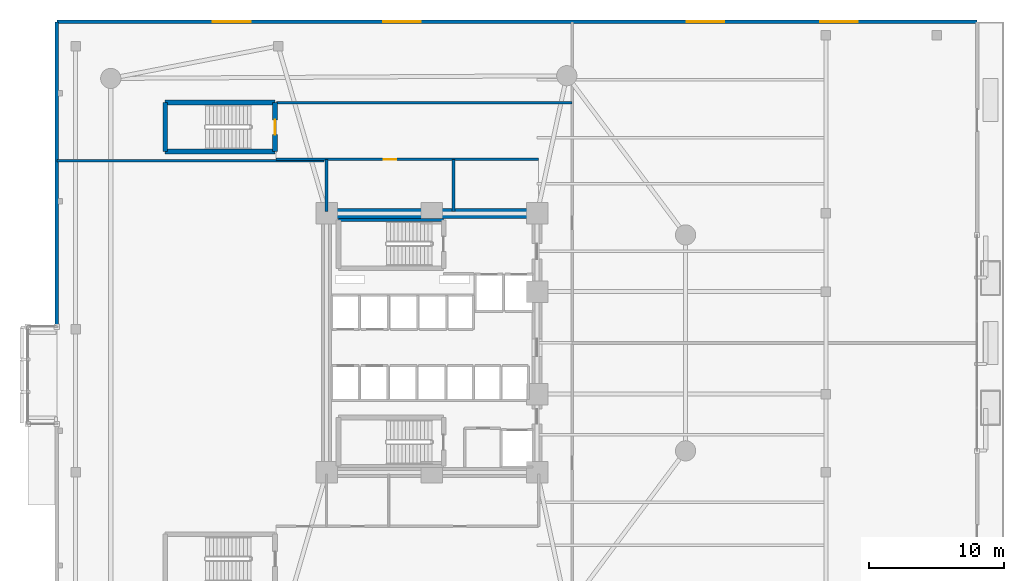
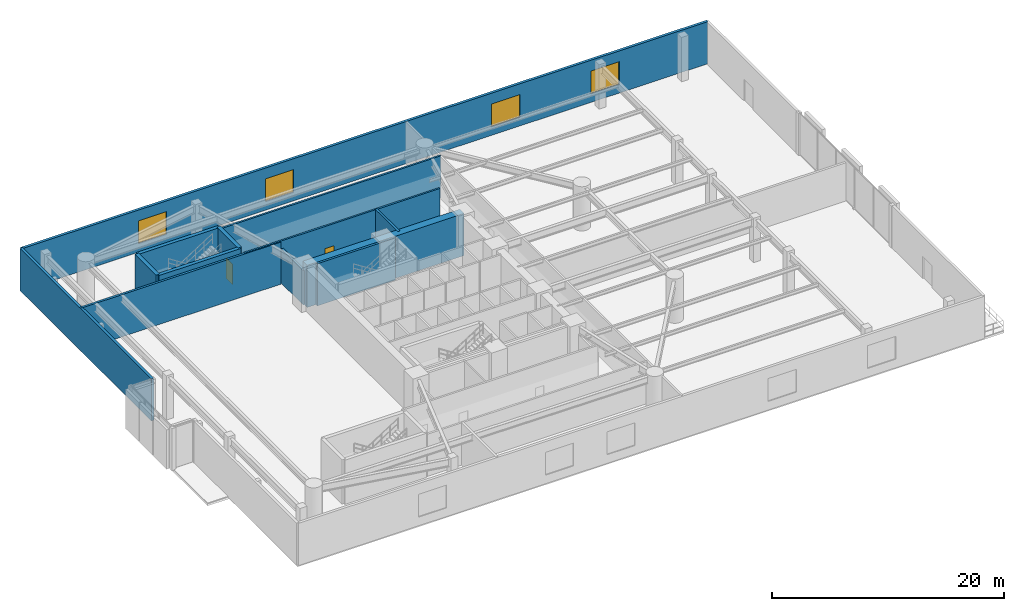
# One storey, part 12 of 16: 13 walls, 4 windows, 2 doors, 6 openings.
"""IFC4 building model written with IfcOpenShell, lengths in metres."""

from ifc_helpers import new_model, si_unit, direction, frame, frame_2d, origin, place, context, subcontext, project, spatial, rectangle, extrude, material, layer, layer_set, type_object, element, fill, save


model = new_model("IFC4")

# Units and contexts
model_context = context("Model", 3, precision=1e-05, world=origin(), true_north=direction((0.0, 1.0)))
body_context = subcontext(model_context, "Body", "Model", "MODEL_VIEW")
ifc_project = project(units=[si_unit("LENGTHUNIT", "METRE"), si_unit("AREAUNIT", "SQUARE_METRE"), si_unit("VOLUMEUNIT", "CUBIC_METRE"), si_unit("PLANEANGLEUNIT", "RADIAN"), si_unit("MASSUNIT", "GRAM", prefix="KILO")], contexts=[model_context])

# Site, building, storey
site_placement = place(None, origin())
site = spatial("IfcSite", under=ifc_project, at=site_placement, CompositionType="ELEMENT")
building_placement = place(site_placement, origin())
building = spatial("IfcBuilding", under=site, at=building_placement, Name="An Khanh Terracotta Commons", CompositionType="ELEMENT")
storey_placement = place(building_placement, frame((0.0, 0.0, 10.050048828125)))
storey = spatial("IfcBuildingStorey", under=building, at=storey_placement, Name="L03", CompositionType="ELEMENT", Elevation=10.050048828125)

# Wall
ifc_material_1 = material(Name="Concrete C70/85", Category="concrete")
ifc_layer_1 = layer(ifc_material_1, 0.75, Name="Concrete C70/85")
ifc_layer_set_1 = layer_set([ifc_layer_1], Name="Concrete C70/85")
wall_type_1 = type_object("IfcWallType", Name="WALL-CORE-750", PredefinedType="SHEAR", material=ifc_layer_set_1)
wall_1_placement = place(storey_placement, frame((21.60009765625, 33.60009765625, 0.0), z_axis=(0.0, 0.0, 1.0), x_axis=(1.0, 0.0, 0.0)))
element("IfcWall", 1, at=wall_1_placement, inside=storey, type_object=wall_type_1, Name="L03 Core Wall CWALL-L03-N", PredefinedType="SHEAR", context=body_context, shape_type="SweptSolid", body=[
    extrude(rectangle(XDim=15.599853515625, YDim=0.75, at=frame_2d((7.7998046875, 0.0))), origin(), (0.0, 0.0, 1.0), 4.429931640625),
])

# Wall, opening, door
ifc_material_2 = material(Name="Fire-Rated Gypsum Board on Steel Stud", Category="steel")
ifc_layer_2 = layer(ifc_material_2, 0.179931640625, Name="Fire-Rated Gypsum Board on Steel Stud")
ifc_layer_set_2 = layer_set([ifc_layer_2], Name="Fire-Rated Gypsum Board on Steel Stud")
wall_type_2 = type_object("IfcWallType", Name="WALL-CORR-180", PredefinedType="PARTITIONING", material=ifc_layer_set_2)
wall_2_placement = place(storey_placement, frame((17.85009765625, 37.60009765625, 0.0), z_axis=(0.0, 0.0, 1.0), x_axis=(1.0, 0.0, 0.0)))
wall_2 = element("IfcWall", 2, at=wall_2_placement, inside=storey, type_object=wall_type_2, Name="L03 Interior Partition IW-L03-E005", PredefinedType="PARTITIONING", context=body_context, shape_type="SweptSolid", body=[
    extrude(rectangle(XDim=19.449951171875, YDim=0.179931640625, at=frame_2d((9.72509765625, 0.0))), origin(), (0.0, 0.0, 1.0), 4.429931640625),
])
opening_1_placement = place(wall_2_placement, frame((7.989990234375, 0.0, 0.0)))
opening_1 = element("IfcOpeningElement", 3, at=opening_1_placement, cuts=wall_2, Name="Opening D-RM", PredefinedType="OPENING", context=body_context, shape_type="SweptSolid", body=[
    extrude(rectangle(XDim=0.919921875, YDim=2.10009765625, at=frame_2d((0.4599609375, 1.050048828125))), frame((0.0, 0.099853515625, 0.0), z_axis=(0.0, -1.0, 0.0), x_axis=(1.0, 0.0, 0.0)), (0.0, 0.0, 1.0), 0.199951171875),
])
ifc_material_3 = material(Name="Engineered Hardwood Timber Leaf", Category="wood")
door_type_1 = type_object("IfcDoorType", Name="DOOR-INT-920", OperationType="NOTDEFINED", PredefinedType="DOOR", material=ifc_material_3)
door_1_placement = place(opening_1_placement, origin())
door_1 = element("IfcDoor", 4, at=door_1_placement, inside=storey, type_object=door_type_1, Name="L03 STR Podium Equipment and Copy Store Door", OperationType="SINGLE_SWING_LEFT", OverallHeight=2.10009765625, OverallWidth=0.919921875, PredefinedType="DOOR", context=body_context, shape_type="SweptSolid", body=[
    extrude(rectangle(XDim=0.919921875, YDim=2.10009765625, at=frame_2d((0.4599609375, 1.050048828125))), frame((0.0, 0.02490234375, 0.0), z_axis=(0.0, -1.0, 0.0), x_axis=(1.0, 0.0, 0.0)), (0.0, 0.0, 1.0), 0.050048828125),
])
fill(opening_1, door_1)

# Walls
wall_3_placement = place(storey_placement, frame((17.889892578125, 41.800048828125, 0.0), z_axis=(0.0, 0.0, 1.0), x_axis=(1.0, 0.0, 0.0)))
element("IfcWall", 5, at=wall_3_placement, inside=storey, type_object=wall_type_2, Name="L03 Interior Partition IW-L03-E006", PredefinedType="PARTITIONING", context=body_context, shape_type="SweptSolid", body=[
    extrude(rectangle(XDim=21.91015625, YDim=0.179931640625, at=frame_2d((10.955078125, 0.0))), origin(), (0.0, 0.0, 1.0), 4.429931640625),
])
ifc_material_4 = material(Name="Acoustic Double-Stud Gypsum and Mineral Wool")
ifc_layer_3 = layer(ifc_material_4, 0.219970703125, Name="Acoustic Double-Stud Gypsum and Mineral Wool")
ifc_layer_set_3 = layer_set([ifc_layer_3], Name="Acoustic Double-Stud Gypsum and Mineral Wool")
wall_type_3 = type_object("IfcWallType", Name="WALL-PARTY-220", PredefinedType="PARTITIONING", material=ifc_layer_set_3)
wall_4_placement = place(storey_placement, frame((22.47998046875, 33.110107421875, 0.0), z_axis=(0.0, 0.0, 1.0), x_axis=(1.0, 0.0, 0.0)))
element("IfcWall", 6, at=wall_4_placement, inside=storey, type_object=wall_type_3, Name="L03 Core Wall STW-L03-N-N", PredefinedType="PARTITIONING", context=body_context, shape_type="SweptSolid", body=[
    extrude(rectangle(XDim=7.7900390625, YDim=0.219970703125, at=frame_2d((3.89501953125, 0.0))), origin(), (0.0, 0.0, 1.0), 4.429931640625),
])
wall_5_placement = place(storey_placement, frame((1.60009765625, 37.5, 0.0), z_axis=(0.0, 0.0, 1.0), x_axis=(1.0, 0.0, 0.0)))
element("IfcWall", 7, at=wall_5_placement, inside=storey, type_object=wall_type_3, Name="L03 Interior Partition IW-L03-E004", PredefinedType="PARTITIONING", context=body_context, shape_type="SweptSolid", body=[
    extrude(rectangle(XDim=19.7998046875, YDim=0.219970703125, at=frame_2d((9.89990234375, 0.0))), origin(), (0.0, 0.0, 1.0), 4.429931640625),
])
wall_6_placement = place(storey_placement, frame((21.60009765625, 33.719970703125, 0.0), z_axis=(0.0, 0.0, 1.0), x_axis=(0.0, 1.0, 0.0)))
element("IfcWall", 8, at=wall_6_placement, inside=storey, type_object=wall_type_3, Name="L03 Interior Partition IW-L03-E009", PredefinedType="PARTITIONING", context=body_context, shape_type="SweptSolid", body=[
    extrude(rectangle(XDim=3.880126953125, YDim=0.219970703125, at=frame_2d((1.93994140625, 0.0))), origin(), (0.0, 0.0, 1.0), 3.612060546875),
])
wall_7_placement = place(storey_placement, frame((31.0, 33.719970703125, 0.0), z_axis=(0.0, 0.0, 1.0), x_axis=(0.0, 1.0, 0.0)))
element("IfcWall", 9, at=wall_7_placement, inside=storey, type_object=wall_type_3, Name="L03 Interior Partition IW-L03-E011", PredefinedType="PARTITIONING", context=body_context, shape_type="SweptSolid", body=[
    extrude(rectangle(XDim=3.880126953125, YDim=0.219970703125, at=frame_2d((1.93994140625, 0.0))), origin(), (0.0, 0.0, 1.0), 4.429931640625),
])

# Wall, openings, windows
ifc_material_5 = material(Name="Concrete C40/50", Category="concrete")
ifc_layer_4 = layer(ifc_material_5, 0.260009765625, Name="Concrete C40/50")
ifc_layer_set_4 = layer_set([ifc_layer_4], Name="Concrete C40/50")
wall_type_4 = type_object("IfcWallType", Name="WALL-POD-260", PredefinedType="SOLIDWALL", material=ifc_layer_set_4)
wall_8_placement = place(storey_placement, frame((1.60009765625, 47.800048828125, 0.0), z_axis=(0.0, 0.0, 1.0), x_axis=(1.0, 0.0, 0.0)))
wall_8 = element("IfcWall", 10, at=wall_8_placement, inside=storey, type_object=wall_type_4, Name="L03 North Exterior Wall", PredefinedType="SOLIDWALL", context=body_context, shape_type="SweptSolid", body=[
    extrude(rectangle(XDim=68.199951171875, YDim=0.260009765625, at=frame_2d((34.10009765625, 0.0))), origin(), (0.0, 0.0, 1.0), 4.429931640625),
])
opening_2_placement = place(wall_8_placement, frame((11.56689453125, 0.0, 0.89990234375)))
opening_2 = element("IfcOpeningElement", 11, at=opening_2_placement, cuts=wall_8, Name="Opening W-08", PredefinedType="OPENING", context=body_context, shape_type="SweptSolid", body=[
    extrude(rectangle(XDim=2.800048828125, YDim=2.39990234375, at=frame_2d((1.39990234375, 1.199951171875))), frame((0.0, 0.139892578125, 0.0), z_axis=(0.0, -1.0, 0.0), x_axis=(1.0, 0.0, 0.0)), (0.0, 0.0, 1.0), 0.280029296875),
])
opening_3_placement = place(wall_8_placement, frame((24.18310546875, 0.0, 0.89990234375)))
opening_3 = element("IfcOpeningElement", 12, at=opening_3_placement, cuts=wall_8, Name="Opening W-08", PredefinedType="OPENING", context=body_context, shape_type="SweptSolid", body=[
    extrude(rectangle(XDim=2.800048828125, YDim=2.39990234375, at=frame_2d((1.39990234375, 1.199951171875))), frame((0.0, 0.139892578125, 0.0), z_axis=(0.0, -1.0, 0.0), x_axis=(1.0, 0.0, 0.0)), (0.0, 0.0, 1.0), 0.280029296875),
])
opening_4_placement = place(wall_8_placement, frame((46.68310546875, 0.0, 0.89990234375)))
opening_4 = element("IfcOpeningElement", 13, at=opening_4_placement, cuts=wall_8, Name="Opening W-08", PredefinedType="OPENING", context=body_context, shape_type="SweptSolid", body=[
    extrude(rectangle(XDim=2.800048828125, YDim=2.39990234375, at=frame_2d((1.39990234375, 1.199951171875))), frame((0.0, 0.139892578125, 0.0), z_axis=(0.0, -1.0, 0.0), x_axis=(1.0, 0.0, 0.0)), (0.0, 0.0, 1.0), 0.280029296875),
])
opening_5_placement = place(wall_8_placement, frame((56.56689453125, 0.0, 0.89990234375)))
opening_5 = element("IfcOpeningElement", 14, at=opening_5_placement, cuts=wall_8, Name="Opening W-08", PredefinedType="OPENING", context=body_context, shape_type="SweptSolid", body=[
    extrude(rectangle(XDim=2.800048828125, YDim=2.39990234375, at=frame_2d((1.39990234375, 1.199951171875))), frame((0.0, 0.139892578125, 0.0), z_axis=(0.0, -1.0, 0.0), x_axis=(1.0, 0.0, 0.0)), (0.0, 0.0, 1.0), 0.280029296875),
])
ifc_material_6 = material(Name="Thermally Broken Aluminium and Low-E Glass", Category="aluminium")
window_type = type_object("IfcWindowType", Name="WIN-POD-2800x2400", PartitioningType="TRIPLE_PANEL_VERTICAL", PredefinedType="WINDOW", material=ifc_material_6)
window_1_placement = place(opening_2_placement, origin())
window_1 = element("IfcWindow", 15, at=window_1_placement, inside=storey, type_object=window_type, Name="L03 North Podium Window 1", OverallHeight=2.39990234375, OverallWidth=2.800048828125, PartitioningType="TRIPLE_PANEL_VERTICAL", PredefinedType="WINDOW", context=body_context, shape_type="SweptSolid", body=[
    extrude(rectangle(XDim=2.800048828125, YDim=2.39990234375, at=frame_2d((1.39990234375, 1.199951171875))), frame((0.0, 0.030029296875, 0.0), z_axis=(0.0, -1.0, 0.0), x_axis=(1.0, 0.0, 0.0)), (0.0, 0.0, 1.0), 0.06005859375),
])
fill(opening_2, window_1)
window_2_placement = place(opening_3_placement, origin())
window_2 = element("IfcWindow", 16, at=window_2_placement, inside=storey, type_object=window_type, Name="L03 North Podium Window 2", OverallHeight=2.39990234375, OverallWidth=2.800048828125, PartitioningType="TRIPLE_PANEL_VERTICAL", PredefinedType="WINDOW", context=body_context, shape_type="SweptSolid", body=[
    extrude(rectangle(XDim=2.800048828125, YDim=2.39990234375, at=frame_2d((1.39990234375, 1.199951171875))), frame((0.0, 0.030029296875, 0.0), z_axis=(0.0, -1.0, 0.0), x_axis=(1.0, 0.0, 0.0)), (0.0, 0.0, 1.0), 0.06005859375),
])
fill(opening_3, window_2)
window_3_placement = place(opening_4_placement, origin())
window_3 = element("IfcWindow", 17, at=window_3_placement, inside=storey, type_object=window_type, Name="L03 North Podium Window 3", OverallHeight=2.39990234375, OverallWidth=2.800048828125, PartitioningType="TRIPLE_PANEL_VERTICAL", PredefinedType="WINDOW", context=body_context, shape_type="SweptSolid", body=[
    extrude(rectangle(XDim=2.800048828125, YDim=2.39990234375, at=frame_2d((1.39990234375, 1.199951171875))), frame((0.0, 0.030029296875, 0.0), z_axis=(0.0, -1.0, 0.0), x_axis=(1.0, 0.0, 0.0)), (0.0, 0.0, 1.0), 0.06005859375),
])
fill(opening_4, window_3)
window_4_placement = place(opening_5_placement, origin())
window_4 = element("IfcWindow", 18, at=window_4_placement, inside=storey, type_object=window_type, Name="L03 North Podium Window 4", OverallHeight=2.39990234375, OverallWidth=2.800048828125, PartitioningType="TRIPLE_PANEL_VERTICAL", PredefinedType="WINDOW", context=body_context, shape_type="SweptSolid", body=[
    extrude(rectangle(XDim=2.800048828125, YDim=2.39990234375, at=frame_2d((1.39990234375, 1.199951171875))), frame((0.0, 0.030029296875, 0.0), z_axis=(0.0, -1.0, 0.0), x_axis=(1.0, 0.0, 0.0)), (0.0, 0.0, 1.0), 0.06005859375),
])
fill(opening_5, window_4)

# Walls
wall_9_placement = place(storey_placement, frame((1.60009765625, 25.199951171875, 0.0), z_axis=(0.0, 0.0, 1.0), x_axis=(0.0, 1.0, 0.0)))
element("IfcWall", 19, at=wall_9_placement, inside=storey, type_object=wall_type_4, Name="L03 West Exterior Wall North", PredefinedType="SOLIDWALL", context=body_context, shape_type="SweptSolid", body=[
    extrude(rectangle(XDim=22.60009765625, YDim=0.260009765625, at=frame_2d((11.300048828125, 0.0))), origin(), (0.0, 0.0, 1.0), 4.429931640625),
])
ifc_material_7 = material(Name="Concrete C50/60", Category="concrete")
ifc_layer_5 = layer(ifc_material_7, 0.35009765625, Name="Concrete C50/60")
ifc_layer_set_5 = layer_set([ifc_layer_5], Name="Concrete C50/60")
wall_type_5 = type_object("IfcWallType", Name="WALL-SHAFT-350", PredefinedType="SOLIDWALL", material=ifc_layer_set_5)
wall_10_placement = place(storey_placement, frame((9.6298828125, 38.179931640625, 0.0), z_axis=(0.0, 0.0, 1.0), x_axis=(0.0, 1.0, 0.0)))
element("IfcWall", 20, at=wall_10_placement, inside=storey, type_object=wall_type_5, Name="L03 Podium Stair ST-P2 W Wall", PredefinedType="SOLIDWALL", context=body_context, shape_type="SweptSolid", body=[
    extrude(rectangle(XDim=3.64013671875, YDim=0.35009765625, at=frame_2d((1.820068359375, 0.0))), origin(), (0.0, 0.0, 1.0), 4.64990234375),
])
for number, where, z_axis, x_axis, name in (
    (21, (9.6298828125, 41.820068359375, 0.0), (0.0, 0.0, 1.0), (1.0, 0.0, 0.0), "L03 Podium Stair ST-P2 N Wall"),
    (22, (17.77001953125, 38.179931640625, 0.0), (0.0, 0.0, 1.0), (-1.0, 0.0, 0.0), "L03 Podium Stair ST-P2 S Wall"),
):
    element("IfcWall", number, at=place(storey_placement, frame(where, z_axis=z_axis, x_axis=x_axis)), inside=storey, type_object=wall_type_5, Name=name, PredefinedType="SOLIDWALL", context=body_context, shape_type="SweptSolid", body=[
        extrude(rectangle(XDim=8.14013671875, YDim=0.35009765625, at=frame_2d((4.070068359375, 0.0))), origin(), (0.0, 0.0, 1.0), 4.64990234375),
    ])

# Wall, opening, door
wall_11_placement = place(storey_placement, frame((17.77001953125, 38.179931640625, 0.0), z_axis=(0.0, 0.0, 1.0), x_axis=(0.0, 1.0, 0.0)))
wall_11 = element("IfcWall", 23, at=wall_11_placement, inside=storey, type_object=wall_type_5, Name="L03 Podium Stair ST-P2 E Wall", PredefinedType="SOLIDWALL", context=body_context, shape_type="SweptSolid", body=[
    extrude(rectangle(XDim=3.64013671875, YDim=0.35009765625, at=frame_2d((1.820068359375, 0.0))), origin(), (0.0, 0.0, 1.0), 4.64990234375),
])
opening_6_placement = place(wall_11_placement, frame((1.25, 0.0, 0.0)))
opening_6 = element("IfcOpeningElement", 24, at=opening_6_placement, cuts=wall_11, Name="Opening D-ST", PredefinedType="OPENING", context=body_context, shape_type="SweptSolid", body=[
    extrude(rectangle(XDim=1.10009765625, YDim=2.14990234375, at=frame_2d((0.550048828125, 1.074951171875))), frame((0.0, 0.18505859375, 0.0), z_axis=(0.0, -1.0, 0.0), x_axis=(1.0, 0.0, 0.0)), (0.0, 0.0, 1.0), 0.3701171875),
])
ifc_material_8 = material(Name="Fire-Rated Steel Leaf and Frame", Category="steel")
door_type_2 = type_object("IfcDoorType", Name="DOOR-STAIR-1100", OperationType="NOTDEFINED", PredefinedType="DOOR", material=ifc_material_8)
door_2_placement = place(opening_6_placement, origin())
door_2 = element("IfcDoor", 25, at=door_2_placement, inside=storey, type_object=door_type_2, Name="L03 Podium Stair ST-P2 Fire Door", OperationType="SINGLE_SWING_RIGHT", OverallHeight=2.14990234375, OverallWidth=1.10009765625, PredefinedType="DOOR", context=body_context, shape_type="SweptSolid", body=[
    extrude(rectangle(XDim=1.10009765625, YDim=2.14990234375, at=frame_2d((0.550048828125, 1.074951171875))), frame((0.0, 0.02490234375, 0.0), z_axis=(0.0, -1.0, 0.0), x_axis=(1.0, 0.0, 0.0)), (0.0, 0.0, 1.0), 0.050048828125),
])
fill(opening_6, door_2)

save(model, "model.ifc")
